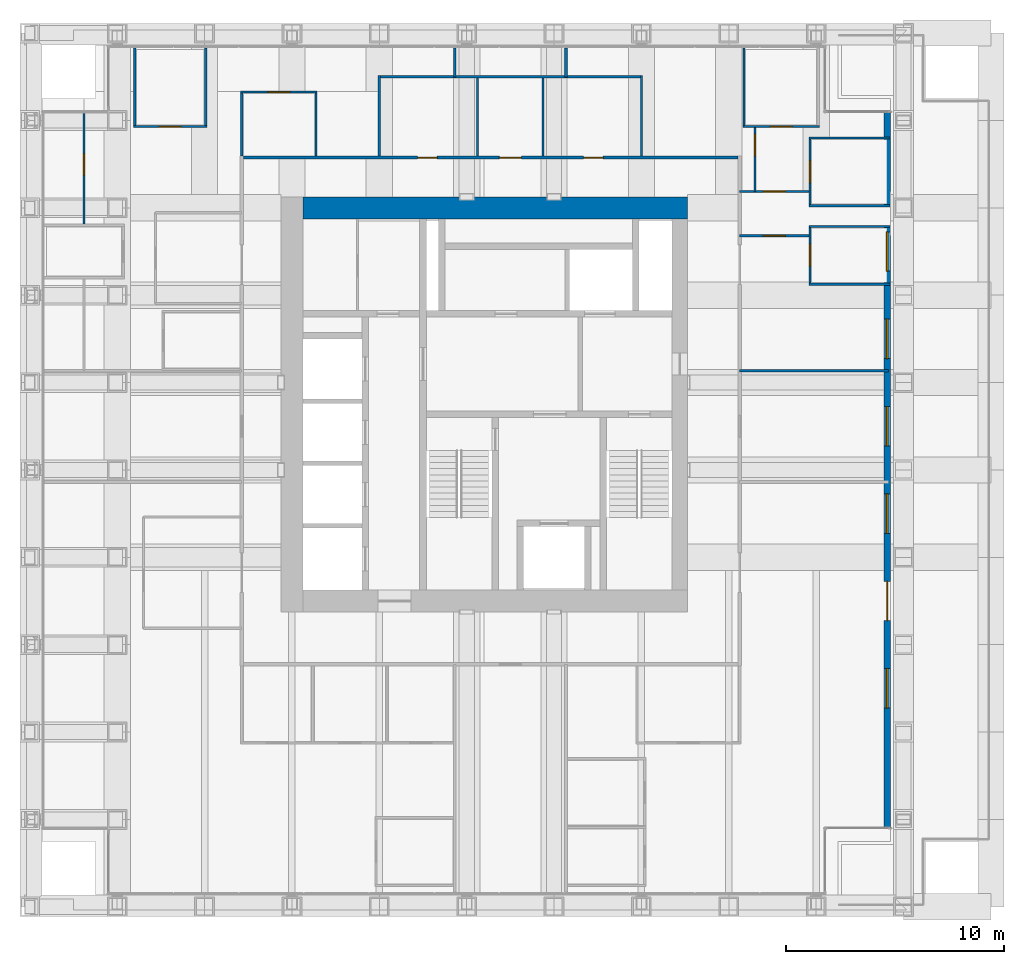
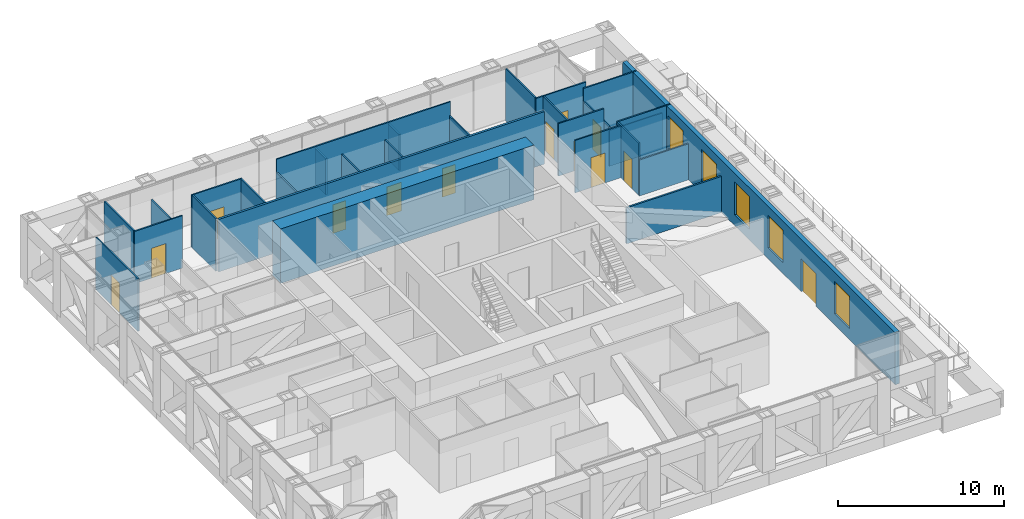
# One storey, part 11 of 14: 29 walls, 13 doors, 5 windows, 18 openings.
"""IFC4 building model written with IfcOpenShell, lengths in metres."""

from ifc_helpers import new_model, si_unit, direction, frame, frame_2d, origin, place, context, subcontext, project, spatial, rectangle, extrude, material, layer, layer_set, type_object, element, fill, save


model = new_model("IFC4")

# Units and contexts
model_context = context("Model", 3, precision=1e-05, world=origin(), true_north=direction((0.0, 1.0)))
body_context = subcontext(model_context, "Body", "Model", "MODEL_VIEW")
ifc_project = project(units=[si_unit("LENGTHUNIT", "METRE"), si_unit("AREAUNIT", "SQUARE_METRE"), si_unit("VOLUMEUNIT", "CUBIC_METRE"), si_unit("PLANEANGLEUNIT", "RADIAN"), si_unit("MASSUNIT", "GRAM", prefix="KILO")], contexts=[model_context])

# Site, building, storey
site_placement = place(None, origin())
site = spatial("IfcSite", under=ifc_project, at=site_placement, CompositionType="ELEMENT")
building_placement = place(site_placement, origin())
building = spatial("IfcBuilding", under=site, at=building_placement, Name="Rimbunsela Tower", CompositionType="ELEMENT")
storey_placement = place(building_placement, frame((0.0, 0.0, 270.199951171875)))
storey = spatial("IfcBuildingStorey", under=building, at=storey_placement, Name="L65", CompositionType="ELEMENT", Elevation=270.199951171875)

# Walls
ifc_material_1 = material(Name="Concrete fc' 80 MPa", Category="concrete")
ifc_layer_1 = layer(ifc_material_1, 1.0)
ifc_layer_set_1 = layer_set([ifc_layer_1], Name="Core wall 1000")
wall_type_1 = type_object("IfcWallType", Name="Core wall 1000", PredefinedType="SHEAR", material=ifc_layer_set_1)
wall_1_placement = place(storey_placement, frame((18.5, 36.0, -0.14990234375), z_axis=(0.0, 0.0, 1.0), x_axis=(1.0, 0.0, 0.0)))
element("IfcWall", 1, at=wall_1_placement, inside=storey, type_object=wall_type_1, Name="Core wall north", PredefinedType="SHEAR", context=body_context, shape_type="SweptSolid", body=[
    extrude(rectangle(XDim=17.60009765625, YDim=1.0, at=frame_2d((8.800048828125, 0.0))), origin(), (0.0, 0.0, 1.0), 4.0),
])
ifc_material_2 = material(Name="Gypsum board on steel studs", Category="steel")
ifc_layer_2 = layer(ifc_material_2, 0.10009765625)
ifc_layer_set_2 = layer_set([ifc_layer_2], Name="Office partition 100")
wall_type_2 = type_object("IfcWallType", Name="Office partition 100", PredefinedType="PARTITIONING", material=ifc_layer_set_2)
wall_2_placement = place(storey_placement, frame((41.669921875, 32.5, 0.0), z_axis=(0.0, 0.0, 1.0), x_axis=(1.0, 0.0, 0.0)))
element("IfcWall", 2, at=wall_2_placement, inside=storey, type_object=wall_type_2, Name="Office partition", PredefinedType="PARTITIONING", context=body_context, shape_type="SweptSolid", body=[
    extrude(rectangle(XDim=3.7001953125, YDim=0.10009765625, at=frame_2d((1.85009765625, 0.0))), origin(), (0.0, 0.0, 1.0), 2.650146484375),
])
wall_3_placement = place(storey_placement, frame((41.669921875, 35.14990234375, 0.0), z_axis=(0.0, 0.0, 1.0), x_axis=(1.0, 0.0, 0.0)))
element("IfcWall", 3, at=wall_3_placement, inside=storey, type_object=wall_type_2, Name="Office partition", PredefinedType="PARTITIONING", context=body_context, shape_type="SweptSolid", body=[
    extrude(rectangle(XDim=3.7001953125, YDim=0.10009765625, at=frame_2d((1.85009765625, 0.0))), origin(), (0.0, 0.0, 1.0), 3.85009765625),
])
wall_4_placement = place(storey_placement, frame((41.669921875, 36.10009765625, 0.0), z_axis=(0.0, 0.0, 1.0), x_axis=(1.0, 0.0, 0.0)))
element("IfcWall", 4, at=wall_4_placement, inside=storey, type_object=wall_type_2, Name="Office partition", PredefinedType="PARTITIONING", context=body_context, shape_type="SweptSolid", body=[
    extrude(rectangle(XDim=3.7001953125, YDim=0.10009765625, at=frame_2d((1.85009765625, 0.0))), origin(), (0.0, 0.0, 1.0), 2.650146484375),
])
wall_5_placement = place(storey_placement, frame((41.669921875, 39.199951171875, 0.0), z_axis=(0.0, 0.0, 1.0), x_axis=(1.0, 0.0, 0.0)))
element("IfcWall", 5, at=wall_5_placement, inside=storey, type_object=wall_type_2, Name="Office partition", PredefinedType="PARTITIONING", context=body_context, shape_type="SweptSolid", body=[
    extrude(rectangle(XDim=3.7001953125, YDim=0.10009765625, at=frame_2d((1.85009765625, 0.0))), origin(), (0.0, 0.0, 1.0), 3.85009765625),
])

# Wall, opening, door
wall_6_placement = place(storey_placement, frame((10.75, 39.719970703125, 0.0), z_axis=(0.0, 0.0, 1.0), x_axis=(1.0, 0.0, 0.0)))
wall_6 = element("IfcWall", 6, at=wall_6_placement, inside=storey, type_object=wall_type_2, Name="Office partition", PredefinedType="PARTITIONING", context=body_context, shape_type="SweptSolid", body=[
    extrude(rectangle(XDim=3.35009765625, YDim=0.10009765625, at=frame_2d((1.675048828125, 0.0))), origin(), (0.0, 0.0, 1.0), 3.85009765625),
])
opening_1_placement = place(wall_6_placement, frame((1.175048828125, 0.0, 0.0)))
opening_1 = element("IfcOpeningElement", 7, at=opening_1_placement, cuts=wall_6, Name="Opening D16", PredefinedType="OPENING", context=body_context, shape_type="SweptSolid", body=[
    extrude(rectangle(XDim=1.0, YDim=2.199951171875, at=frame_2d((0.5, 1.10009765625))), frame((0.0, 0.06005859375, 0.0), z_axis=(0.0, -1.0, 0.0), x_axis=(1.0, 0.0, 0.0)), (0.0, 0.0, 1.0), 0.1201171875),
])
ifc_material_3 = material(Name="Timber door", Category="wood")
door_type_1 = type_object("IfcDoorType", Name="Office door 1000", OperationType="SINGLE_SWING_LEFT", PredefinedType="DOOR", material=ifc_material_3)
door_1_placement = place(opening_1_placement, origin())
door_1 = element("IfcDoor", 8, at=door_1_placement, inside=storey, type_object=door_type_1, Name="Office door", OperationType="SINGLE_SWING_LEFT", OverallHeight=2.199951171875, OverallWidth=1.0, PredefinedType="DOOR", context=body_context, shape_type="SweptSolid", body=[
    extrude(rectangle(XDim=1.0, YDim=2.199951171875, at=frame_2d((0.5, 1.10009765625))), frame((0.0, 0.02490234375, 0.0), z_axis=(0.0, -1.0, 0.0), x_axis=(1.0, 0.0, 0.0)), (0.0, 0.0, 1.0), 0.050048828125),
])
fill(opening_1, door_1)

wall_7_placement = place(storey_placement, frame((38.64990234375, 39.719970703125, 0.0), z_axis=(0.0, 0.0, 1.0), x_axis=(1.0, 0.0, 0.0)))
wall_7 = element("IfcWall", 9, at=wall_7_placement, inside=storey, type_object=wall_type_2, Name="Office partition", PredefinedType="PARTITIONING", context=body_context, shape_type="SweptSolid", body=[
    extrude(rectangle(XDim=3.5, YDim=0.10009765625, at=frame_2d((1.75, 0.0))), origin(), (0.0, 0.0, 1.0), 3.85009765625),
])
opening_2_placement = place(wall_7_placement, frame((1.25, 0.0, 0.0)))
opening_2 = element("IfcOpeningElement", 10, at=opening_2_placement, cuts=wall_7, Name="Opening D16", PredefinedType="OPENING", context=body_context, shape_type="SweptSolid", body=[
    extrude(rectangle(XDim=1.0, YDim=2.199951171875, at=frame_2d((0.5, 1.10009765625))), frame((0.0, 0.06005859375, 0.0), z_axis=(0.0, -1.0, 0.0), x_axis=(1.0, 0.0, 0.0)), (0.0, 0.0, 1.0), 0.1201171875),
])
door_2_placement = place(opening_2_placement, origin())
door_2 = element("IfcDoor", 11, at=door_2_placement, inside=storey, type_object=door_type_1, Name="Office door", OperationType="SINGLE_SWING_LEFT", OverallHeight=2.199951171875, OverallWidth=1.0, PredefinedType="DOOR", context=body_context, shape_type="SweptSolid", body=[
    extrude(rectangle(XDim=1.0, YDim=2.199951171875, at=frame_2d((0.5, 1.10009765625))), frame((0.0, 0.02490234375, 0.0), z_axis=(0.0, -1.0, 0.0), x_axis=(1.0, 0.0, 0.0)), (0.0, 0.0, 1.0), 0.050048828125),
])
fill(opening_2, door_2)

wall_8_placement = place(storey_placement, frame((15.64990234375, 41.300048828125, 0.0), z_axis=(0.0, 0.0, 1.0), x_axis=(1.0, 0.0, 0.0)))
wall_8 = element("IfcWall", 12, at=wall_8_placement, inside=storey, type_object=wall_type_2, Name="Office partition", PredefinedType="PARTITIONING", context=body_context, shape_type="SweptSolid", body=[
    extrude(rectangle(XDim=3.5, YDim=0.10009765625, at=frame_2d((1.75, 0.0))), origin(), (0.0, 0.0, 1.0), 3.85009765625),
])
opening_3_placement = place(wall_8_placement, frame((1.25, 0.0, 0.0)))
opening_3 = element("IfcOpeningElement", 13, at=opening_3_placement, cuts=wall_8, Name="Opening D16", PredefinedType="OPENING", context=body_context, shape_type="SweptSolid", body=[
    extrude(rectangle(XDim=1.0, YDim=2.199951171875, at=frame_2d((0.5, 1.10009765625))), frame((0.0, 0.06005859375, 0.0), z_axis=(0.0, -1.0, 0.0), x_axis=(1.0, 0.0, 0.0)), (0.0, 0.0, 1.0), 0.1201171875),
])
door_3_placement = place(opening_3_placement, origin())
door_3 = element("IfcDoor", 14, at=door_3_placement, inside=storey, type_object=door_type_1, Name="Office door", OperationType="SINGLE_SWING_LEFT", OverallHeight=2.199951171875, OverallWidth=1.0, PredefinedType="DOOR", context=body_context, shape_type="SweptSolid", body=[
    extrude(rectangle(XDim=1.0, YDim=2.199951171875, at=frame_2d((0.5, 1.10009765625))), frame((0.0, 0.02490234375, 0.0), z_axis=(0.0, -1.0, 0.0), x_axis=(1.0, 0.0, 0.0)), (0.0, 0.0, 1.0), 0.050048828125),
])
fill(opening_3, door_3)

# Walls
wall_9_placement = place(storey_placement, frame((10.800048828125, 39.77001953125, 0.0), z_axis=(0.0, 0.0, 1.0), x_axis=(0.0, 1.0, 0.0)))
element("IfcWall", 15, at=wall_9_placement, inside=storey, type_object=wall_type_2, Name="Office partition", PredefinedType="PARTITIONING", context=body_context, shape_type="SweptSolid", body=[
    extrude(rectangle(XDim=3.550048828125, YDim=0.10009765625, at=frame_2d((1.77490234375, 0.0))), origin(), (0.0, 0.0, 1.0), 3.85009765625),
])
wall_10_placement = place(storey_placement, frame((14.050048828125, 39.77001953125, 0.0), z_axis=(0.0, 0.0, 1.0), x_axis=(0.0, 1.0, 0.0)))
element("IfcWall", 16, at=wall_10_placement, inside=storey, type_object=wall_type_2, Name="Office partition", PredefinedType="PARTITIONING", context=body_context, shape_type="SweptSolid", body=[
    extrude(rectangle(XDim=3.550048828125, YDim=0.10009765625, at=frame_2d((1.77490234375, 0.0))), origin(), (0.0, 0.0, 1.0), 2.85009765625),
])
for number, where, z_axis, x_axis, name in (
    (17, (15.699951171875, 38.375, 0.0), (0.0, 0.0, 1.0), (0.0, 1.0, 0.0), "Office partition"),
    (18, (19.10009765625, 38.375, 0.0), (0.0, 0.0, 1.0), (0.0, 1.0, 0.0), "Office partition"),
):
    element("IfcWall", number, at=place(storey_placement, frame(where, z_axis=z_axis, x_axis=x_axis)), inside=storey, type_object=wall_type_2, Name=name, PredefinedType="PARTITIONING", context=body_context, shape_type="SweptSolid", body=[
        extrude(rectangle(XDim=2.875, YDim=0.10009765625, at=frame_2d((1.4375, 0.0))), origin(), (0.0, 0.0, 1.0), 3.85009765625),
    ])
wall_11_placement = place(storey_placement, frame((38.699951171875, 39.77001953125, 0.0), z_axis=(0.0, 0.0, 1.0), x_axis=(0.0, 1.0, 0.0)))
element("IfcWall", 19, at=wall_11_placement, inside=storey, type_object=wall_type_2, Name="Office partition", PredefinedType="PARTITIONING", context=body_context, shape_type="SweptSolid", body=[
    extrude(rectangle(XDim=3.550048828125, YDim=0.10009765625, at=frame_2d((1.77490234375, 0.0))), origin(), (0.0, 0.0, 1.0), 3.85009765625),
])

# Wall, opening, door
wall_12_placement = place(storey_placement, frame((41.719970703125, 32.550048828125, 0.0), z_axis=(0.0, 0.0, 1.0), x_axis=(0.0, 1.0, 0.0)))
wall_12 = element("IfcWall", 20, at=wall_12_placement, inside=storey, type_object=wall_type_2, Name="Office partition", PredefinedType="PARTITIONING", context=body_context, shape_type="SweptSolid", body=[
    extrude(rectangle(XDim=2.550048828125, YDim=0.10009765625, at=frame_2d((1.27490234375, 0.0))), origin(), (0.0, 0.0, 1.0), 3.85009765625),
])
opening_4_placement = place(wall_12_placement, frame((0.77490234375, 0.0, 0.0)))
opening_4 = element("IfcOpeningElement", 21, at=opening_4_placement, cuts=wall_12, Name="Opening D16", PredefinedType="OPENING", context=body_context, shape_type="SweptSolid", body=[
    extrude(rectangle(XDim=1.0, YDim=2.199951171875, at=frame_2d((0.5, 1.10009765625))), frame((0.0, 0.06005859375, 0.0), z_axis=(0.0, -1.0, 0.0), x_axis=(1.0, 0.0, 0.0)), (0.0, 0.0, 1.0), 0.1201171875),
])
door_4_placement = place(opening_4_placement, origin())
door_4 = element("IfcDoor", 22, at=door_4_placement, inside=storey, type_object=door_type_1, Name="Office door", OperationType="SINGLE_SWING_LEFT", OverallHeight=2.199951171875, OverallWidth=1.0, PredefinedType="DOOR", context=body_context, shape_type="SweptSolid", body=[
    extrude(rectangle(XDim=1.0, YDim=2.199951171875, at=frame_2d((0.5, 1.10009765625))), frame((0.0, 0.02490234375, 0.0), z_axis=(0.0, -1.0, 0.0), x_axis=(1.0, 0.0, 0.0)), (0.0, 0.0, 1.0), 0.050048828125),
])
fill(opening_4, door_4)

wall_13_placement = place(storey_placement, frame((41.719970703125, 36.14990234375, 0.0), z_axis=(0.0, 0.0, 1.0), x_axis=(0.0, 1.0, 0.0)))
wall_13 = element("IfcWall", 23, at=wall_13_placement, inside=storey, type_object=wall_type_2, Name="Office partition", PredefinedType="PARTITIONING", context=body_context, shape_type="SweptSolid", body=[
    extrude(rectangle(XDim=3.0, YDim=0.10009765625, at=frame_2d((1.5, 0.0))), origin(), (0.0, 0.0, 1.0), 2.85009765625),
])
opening_5_placement = place(wall_13_placement, frame((1.0, 0.0, 0.0)))
opening_5 = element("IfcOpeningElement", 24, at=opening_5_placement, cuts=wall_13, Name="Opening D16", PredefinedType="OPENING", context=body_context, shape_type="SweptSolid", body=[
    extrude(rectangle(XDim=1.0, YDim=2.199951171875, at=frame_2d((0.5, 1.10009765625))), frame((0.0, 0.06005859375, 0.0), z_axis=(0.0, -1.0, 0.0), x_axis=(1.0, 0.0, 0.0)), (0.0, 0.0, 1.0), 0.1201171875),
])
door_5_placement = place(opening_5_placement, origin())
door_5 = element("IfcDoor", 25, at=door_5_placement, inside=storey, type_object=door_type_1, Name="Office door", OperationType="SINGLE_SWING_LEFT", OverallHeight=2.199951171875, OverallWidth=1.0, PredefinedType="DOOR", context=body_context, shape_type="SweptSolid", body=[
    extrude(rectangle(XDim=1.0, YDim=2.199951171875, at=frame_2d((0.5, 1.10009765625))), frame((0.0, 0.02490234375, 0.0), z_axis=(0.0, -1.0, 0.0), x_axis=(1.0, 0.0, 0.0)), (0.0, 0.0, 1.0), 0.050048828125),
])
fill(opening_5, door_5)

wall_14_placement = place(storey_placement, frame((8.47998046875, 35.25, 0.0), z_axis=(0.0, 0.0, 1.0), x_axis=(0.0, 1.0, 0.0)))
wall_14 = element("IfcWall", 26, at=wall_14_placement, inside=storey, type_object=wall_type_2, Name="Office partition", PredefinedType="PARTITIONING", context=body_context, shape_type="SweptSolid", body=[
    extrude(rectangle(XDim=5.070068359375, YDim=0.10009765625, at=frame_2d((2.53515625, 0.0))), origin(), (0.0, 0.0, 1.0), 3.85009765625),
])
opening_6_placement = place(wall_14_placement, frame((2.235107421875, 0.0, 0.0)))
opening_6 = element("IfcOpeningElement", 27, at=opening_6_placement, cuts=wall_14, Name="Opening D17", PredefinedType="OPENING", context=body_context, shape_type="SweptSolid", body=[
    extrude(rectangle(XDim=1.0, YDim=2.199951171875, at=frame_2d((0.5, 1.10009765625))), frame((0.0, 0.06005859375, 0.0), z_axis=(0.0, -1.0, 0.0), x_axis=(1.0, 0.0, 0.0)), (0.0, 0.0, 1.0), 0.1201171875),
])
ifc_material_4 = material(Name="Glazed aluminium door", Category="aluminium")
door_type_2 = type_object("IfcDoorType", Name="Meeting room door 1000 glazed", OperationType="SINGLE_SWING_RIGHT", PredefinedType="DOOR", material=ifc_material_4)
door_6_placement = place(opening_6_placement, origin())
door_6 = element("IfcDoor", 28, at=door_6_placement, inside=storey, type_object=door_type_2, Name="Open office screen door", OperationType="SINGLE_SWING_RIGHT", OverallHeight=2.199951171875, OverallWidth=1.0, PredefinedType="DOOR", context=body_context, shape_type="SweptSolid", body=[
    extrude(rectangle(XDim=1.0, YDim=2.199951171875, at=frame_2d((0.5, 1.10009765625))), frame((0.0, 0.02490234375, 0.0), z_axis=(0.0, -1.0, 0.0), x_axis=(1.0, 0.0, 0.0)), (0.0, 0.0, 1.0), 0.050048828125),
])
fill(opening_6, door_6)

wall_15_placement = place(storey_placement, frame((41.669921875, 34.72509765625, 0.0), z_axis=(0.0, 0.0, 1.0), x_axis=(-1.0, 0.0, 0.0)))
wall_15 = element("IfcWall", 29, at=wall_15_placement, inside=storey, type_object=wall_type_2, Name="Office partition", PredefinedType="PARTITIONING", context=body_context, shape_type="SweptSolid", body=[
    extrude(rectangle(XDim=3.169921875, YDim=0.10009765625, at=frame_2d((1.5849609375, 0.0))), origin(), (0.0, 0.0, 1.0), 3.85009765625),
])
opening_7_placement = place(wall_15_placement, frame((1.0849609375, 0.0, 0.0)))
opening_7 = element("IfcOpeningElement", 30, at=opening_7_placement, cuts=wall_15, Name="Opening D17", PredefinedType="OPENING", context=body_context, shape_type="SweptSolid", body=[
    extrude(rectangle(XDim=1.0, YDim=2.199951171875, at=frame_2d((0.5, 1.10009765625))), frame((0.0, 0.06005859375, 0.0), z_axis=(0.0, -1.0, 0.0), x_axis=(1.0, 0.0, 0.0)), (0.0, 0.0, 1.0), 0.1201171875),
])
door_7_placement = place(opening_7_placement, origin())
door_7 = element("IfcDoor", 31, at=door_7_placement, inside=storey, type_object=door_type_2, Name="Open office screen door", OperationType="SINGLE_SWING_RIGHT", OverallHeight=2.199951171875, OverallWidth=1.0, PredefinedType="DOOR", context=body_context, shape_type="SweptSolid", body=[
    extrude(rectangle(XDim=1.0, YDim=2.199951171875, at=frame_2d((0.5, 1.10009765625))), frame((0.0, 0.02490234375, 0.0), z_axis=(0.0, -1.0, 0.0), x_axis=(1.0, 0.0, 0.0)), (0.0, 0.0, 1.0), 0.050048828125),
])
fill(opening_7, door_7)

wall_16_placement = place(storey_placement, frame((41.669921875, 36.75, 0.0), z_axis=(0.0, 0.0, 1.0), x_axis=(-1.0, 0.0, 0.0)))
wall_16 = element("IfcWall", 32, at=wall_16_placement, inside=storey, type_object=wall_type_2, Name="Office partition", PredefinedType="PARTITIONING", context=body_context, shape_type="SweptSolid", body=[
    extrude(rectangle(XDim=3.169921875, YDim=0.10009765625, at=frame_2d((1.5849609375, 0.0))), origin(), (0.0, 0.0, 1.0), 3.85009765625),
])
opening_8_placement = place(wall_16_placement, frame((1.0849609375, 0.0, 0.0)))
opening_8 = element("IfcOpeningElement", 33, at=opening_8_placement, cuts=wall_16, Name="Opening D17", PredefinedType="OPENING", context=body_context, shape_type="SweptSolid", body=[
    extrude(rectangle(XDim=1.0, YDim=2.199951171875, at=frame_2d((0.5, 1.10009765625))), frame((0.0, 0.06005859375, 0.0), z_axis=(0.0, -1.0, 0.0), x_axis=(1.0, 0.0, 0.0)), (0.0, 0.0, 1.0), 0.1201171875),
])
door_8_placement = place(opening_8_placement, origin())
door_8 = element("IfcDoor", 34, at=door_8_placement, inside=storey, type_object=door_type_2, Name="Open office screen door", OperationType="SINGLE_SWING_RIGHT", OverallHeight=2.199951171875, OverallWidth=1.0, PredefinedType="DOOR", context=body_context, shape_type="SweptSolid", body=[
    extrude(rectangle(XDim=1.0, YDim=2.199951171875, at=frame_2d((0.5, 1.10009765625))), frame((0.0, 0.02490234375, 0.0), z_axis=(0.0, -1.0, 0.0), x_axis=(1.0, 0.0, 0.0)), (0.0, 0.0, 1.0), 0.050048828125),
])
fill(opening_8, door_8)

wall_17_placement = place(storey_placement, frame((39.199951171875, 39.669921875, 0.0), z_axis=(0.0, 0.0, 1.0), x_axis=(0.0, -1.0, 0.0)))
wall_17 = element("IfcWall", 35, at=wall_17_placement, inside=storey, type_object=wall_type_2, Name="Office partition", PredefinedType="PARTITIONING", context=body_context, shape_type="SweptSolid", body=[
    extrude(rectangle(XDim=2.919921875, YDim=0.10009765625, at=frame_2d((1.4599609375, 0.0))), origin(), (0.0, 0.0, 1.0), 3.85009765625),
])
opening_9_placement = place(wall_17_placement, frame((0.31005859375, 0.0, 0.0)))
opening_9 = element("IfcOpeningElement", 36, at=opening_9_placement, cuts=wall_17, Name="Opening D17", PredefinedType="OPENING", context=body_context, shape_type="SweptSolid", body=[
    extrude(rectangle(XDim=1.0, YDim=2.199951171875, at=frame_2d((0.5, 1.10009765625))), frame((0.0, 0.06005859375, 0.0), z_axis=(0.0, -1.0, 0.0), x_axis=(1.0, 0.0, 0.0)), (0.0, 0.0, 1.0), 0.1201171875),
])
door_9_placement = place(opening_9_placement, origin())
door_9 = element("IfcDoor", 37, at=door_9_placement, inside=storey, type_object=door_type_2, Name="Open office screen door", OperationType="SINGLE_SWING_RIGHT", OverallHeight=2.199951171875, OverallWidth=1.0, PredefinedType="DOOR", context=body_context, shape_type="SweptSolid", body=[
    extrude(rectangle(XDim=1.0, YDim=2.199951171875, at=frame_2d((0.5, 1.10009765625))), frame((0.0, 0.02490234375, 0.0), z_axis=(0.0, -1.0, 0.0), x_axis=(1.0, 0.0, 0.0)), (0.0, 0.0, 1.0), 0.050048828125),
])
fill(opening_9, door_9)

# Wall, openings, doors
ifc_material_5 = material(Name="Fire-rated gypsum board on steel studs, EI 60", Category="steel")
ifc_layer_3 = layer(ifc_material_5, 0.14990234375)
ifc_layer_set_3 = layer_set([ifc_layer_3], Name="Rated corridor wall 150")
wall_type_3 = type_object("IfcWallType", Name="Rated corridor wall 150", PredefinedType="PARTITIONING", material=ifc_layer_set_3)
wall_18_placement = place(storey_placement, frame((15.77490234375, 38.300048828125, 0.0), z_axis=(0.0, 0.0, 1.0), x_axis=(1.0, 0.0, 0.0)))
wall_18 = element("IfcWall", 38, at=wall_18_placement, inside=storey, type_object=wall_type_3, Name="Corridor wall north", PredefinedType="PARTITIONING", context=body_context, shape_type="SweptSolid", body=[
    extrude(rectangle(XDim=22.650146484375, YDim=0.14990234375, at=frame_2d((11.3251953125, 0.0))), origin(), (0.0, 0.0, 1.0), 3.85009765625),
])
opening_10_placement = place(wall_18_placement, frame((7.97509765625, 0.0, 0.0)))
opening_10 = element("IfcOpeningElement", 39, at=opening_10_placement, cuts=wall_18, Name="Opening D04", PredefinedType="OPENING", context=body_context, shape_type="SweptSolid", body=[
    extrude(rectangle(XDim=0.89990234375, YDim=2.10009765625, at=frame_2d((0.449951171875, 1.050048828125))), frame((0.0, 0.0849609375, 0.0), z_axis=(0.0, -1.0, 0.0), x_axis=(1.0, 0.0, 0.0)), (0.0, 0.0, 1.0), 0.169921875),
])
opening_11_placement = place(wall_18_placement, frame((11.72509765625, 0.0, 0.0)))
opening_11 = element("IfcOpeningElement", 40, at=opening_11_placement, cuts=wall_18, Name="Opening D05", PredefinedType="OPENING", context=body_context, shape_type="SweptSolid", body=[
    extrude(rectangle(XDim=1.0, YDim=2.10009765625, at=frame_2d((0.5, 1.050048828125))), frame((0.0, 0.0849609375, 0.0), z_axis=(0.0, -1.0, 0.0), x_axis=(1.0, 0.0, 0.0)), (0.0, 0.0, 1.0), 0.169921875),
])
opening_12_placement = place(wall_18_placement, frame((15.574951171875, 0.0, 0.0)))
opening_12 = element("IfcOpeningElement", 41, at=opening_12_placement, cuts=wall_18, Name="Opening D04", PredefinedType="OPENING", context=body_context, shape_type="SweptSolid", body=[
    extrude(rectangle(XDim=0.89990234375, YDim=2.10009765625, at=frame_2d((0.449951171875, 1.050048828125))), frame((0.0, 0.0849609375, 0.0), z_axis=(0.0, -1.0, 0.0), x_axis=(1.0, 0.0, 0.0)), (0.0, 0.0, 1.0), 0.169921875),
])
ifc_material_6 = material(Name="Timber door", Category="wood")
door_type_3 = type_object("IfcDoorType", Name="Accessible WC door 1000", OperationType="SLIDING_TO_LEFT", PredefinedType="DOOR", material=ifc_material_6)
door_10_placement = place(opening_11_placement, origin())
door_10 = element("IfcDoor", 42, at=door_10_placement, inside=storey, type_object=door_type_3, Name="Accessible WC door", OperationType="SLIDING_TO_LEFT", OverallHeight=2.10009765625, OverallWidth=1.0, PredefinedType="DOOR", context=body_context, shape_type="SweptSolid", body=[
    extrude(rectangle(XDim=1.0, YDim=2.10009765625, at=frame_2d((0.5, 1.050048828125))), frame((0.0, 0.02490234375, 0.0), z_axis=(0.0, -1.0, 0.0), x_axis=(1.0, 0.0, 0.0)), (0.0, 0.0, 1.0), 0.050048828125),
])
fill(opening_11, door_10)
ifc_material_7 = material(Name="Timber door", Category="wood")
door_type_4 = type_object("IfcDoorType", Name="Toilet door 900", OperationType="SINGLE_SWING_LEFT", PredefinedType="DOOR", material=ifc_material_7)
door_11_placement = place(opening_10_placement, origin())
door_11 = element("IfcDoor", 43, at=door_11_placement, inside=storey, type_object=door_type_4, Name="Female WC door", OperationType="SINGLE_SWING_LEFT", OverallHeight=2.10009765625, OverallWidth=0.89990234375, PredefinedType="DOOR", context=body_context, shape_type="SweptSolid", body=[
    extrude(rectangle(XDim=0.89990234375, YDim=2.10009765625, at=frame_2d((0.449951171875, 1.050048828125))), frame((0.0, 0.02490234375, 0.0), z_axis=(0.0, -1.0, 0.0), x_axis=(1.0, 0.0, 0.0)), (0.0, 0.0, 1.0), 0.050048828125),
])
fill(opening_10, door_11)
door_12_placement = place(opening_12_placement, origin())
door_12 = element("IfcDoor", 44, at=door_12_placement, inside=storey, type_object=door_type_4, Name="Male WC door", OperationType="SINGLE_SWING_LEFT", OverallHeight=2.10009765625, OverallWidth=0.89990234375, PredefinedType="DOOR", context=body_context, shape_type="SweptSolid", body=[
    extrude(rectangle(XDim=0.89990234375, YDim=2.10009765625, at=frame_2d((0.449951171875, 1.050048828125))), frame((0.0, 0.02490234375, 0.0), z_axis=(0.0, -1.0, 0.0), x_axis=(1.0, 0.0, 0.0)), (0.0, 0.0, 1.0), 0.050048828125),
])
fill(opening_12, door_12)

# Walls
ifc_material_8 = material(Name="Gypsum board on steel studs", Category="steel")
ifc_layer_4 = layer(ifc_material_8, 0.1201171875)
ifc_layer_set_4 = layer_set([ifc_layer_4], Name="Tenancy partition 120")
wall_type_4 = type_object("IfcWallType", Name="Tenancy partition 120", PredefinedType="PARTITIONING", material=ifc_layer_set_4)
wall_19_placement = place(storey_placement, frame((38.5, 28.550048828125, 0.0), z_axis=(0.0, 0.0, 1.0), x_axis=(1.0, 0.0, 0.0)))
element("IfcWall", 45, at=wall_19_placement, inside=storey, type_object=wall_type_4, Name="Tenancy partition", PredefinedType="PARTITIONING", context=body_context, shape_type="SweptSolid", body=[
    extrude(rectangle(XDim=6.820068359375, YDim=0.1201171875, at=frame_2d((3.41015625, 0.0))), origin(), (0.0, 0.0, 1.0), 2.650146484375),
])
for number, where, z_axis, x_axis, name in (
    (46, (25.449951171875, 42.0, 0.0), (0.0, 0.0, 1.0), (0.0, 1.0, 0.0), "Tenancy partition"),
    (47, (30.550048828125, 42.0, 0.0), (0.0, 0.0, 1.0), (0.0, 1.0, 0.0), "Tenancy partition"),
):
    element("IfcWall", number, at=place(storey_placement, frame(where, z_axis=z_axis, x_axis=x_axis)), inside=storey, type_object=wall_type_4, Name=name, PredefinedType="PARTITIONING", context=body_context, shape_type="SweptSolid", body=[
        extrude(rectangle(XDim=1.320068359375, YDim=0.1201171875, at=frame_2d((0.66015625, 0.0))), origin(), (0.0, 0.0, 1.0), 2.650146484375),
    ])

# Wall, openings, door, windows
ifc_material_9 = material(Name="Precast concrete fc' 35 MPa", Category="concrete")
ifc_layer_5 = layer(ifc_material_9, 0.300048828125)
ifc_layer_set_5 = layer_set([ifc_layer_5], Name="Terrace wall 300")
wall_type_5 = type_object("IfcWallType", Name="Terrace wall 300", PredefinedType="ELEMENTEDWALL", material=ifc_layer_set_5)
wall_20_placement = place(storey_placement, frame((45.25, 7.60009765625, 0.0), z_axis=(0.0, 0.0, 1.0), x_axis=(0.0, 1.0, 0.0)))
wall_20 = element("IfcWall", 48, at=wall_20_placement, inside=storey, type_object=wall_type_5, Name="Terrace wall E L65", PredefinedType="ELEMENTEDWALL", context=body_context, shape_type="SweptSolid", body=[
    extrude(rectangle(XDim=32.7998046875, YDim=0.300048828125, at=frame_2d((16.39990234375, 0.0))), origin(), (0.0, 0.0, 1.0), 3.85009765625),
])
opening_13_placement = place(wall_20_placement, frame((5.5, 0.0, 0.800048828125)))
opening_13 = element("IfcOpeningElement", 49, at=opening_13_placement, cuts=wall_20, Name="Opening W3", PredefinedType="OPENING", context=body_context, shape_type="SweptSolid", body=[
    extrude(rectangle(XDim=1.800048828125, YDim=2.39990234375, at=frame_2d((0.89990234375, 1.199951171875))), frame((0.0, 0.159912109375, 0.0), z_axis=(0.0, -1.0, 0.0), x_axis=(1.0, 0.0, 0.0)), (0.0, 0.0, 1.0), 0.320068359375),
])
opening_14_placement = place(wall_20_placement, frame((9.5, 0.0, 0.0)))
opening_14 = element("IfcOpeningElement", 50, at=opening_14_placement, cuts=wall_20, Name="Opening TD1", PredefinedType="OPENING", context=body_context, shape_type="SweptSolid", body=[
    extrude(rectangle(XDim=1.800048828125, YDim=2.39990234375, at=frame_2d((0.89990234375, 1.199951171875))), frame((0.0, 0.159912109375, 0.0), z_axis=(0.0, -1.0, 0.0), x_axis=(1.0, 0.0, 0.0)), (0.0, 0.0, 1.0), 0.320068359375),
])
opening_15_placement = place(wall_20_placement, frame((13.5, 0.0, 0.800048828125)))
opening_15 = element("IfcOpeningElement", 51, at=opening_15_placement, cuts=wall_20, Name="Opening W3", PredefinedType="OPENING", context=body_context, shape_type="SweptSolid", body=[
    extrude(rectangle(XDim=1.800048828125, YDim=2.39990234375, at=frame_2d((0.89990234375, 1.199951171875))), frame((0.0, 0.159912109375, 0.0), z_axis=(0.0, -1.0, 0.0), x_axis=(1.0, 0.0, 0.0)), (0.0, 0.0, 1.0), 0.320068359375),
])
opening_16_placement = place(wall_20_placement, frame((17.5, 0.0, 0.800048828125)))
opening_16 = element("IfcOpeningElement", 52, at=opening_16_placement, cuts=wall_20, Name="Opening W3", PredefinedType="OPENING", context=body_context, shape_type="SweptSolid", body=[
    extrude(rectangle(XDim=1.800048828125, YDim=2.39990234375, at=frame_2d((0.89990234375, 1.199951171875))), frame((0.0, 0.159912109375, 0.0), z_axis=(0.0, -1.0, 0.0), x_axis=(1.0, 0.0, 0.0)), (0.0, 0.0, 1.0), 0.320068359375),
])
opening_17_placement = place(wall_20_placement, frame((21.5, 0.0, 0.800048828125)))
opening_17 = element("IfcOpeningElement", 53, at=opening_17_placement, cuts=wall_20, Name="Opening W3", PredefinedType="OPENING", context=body_context, shape_type="SweptSolid", body=[
    extrude(rectangle(XDim=1.800048828125, YDim=2.39990234375, at=frame_2d((0.89990234375, 1.199951171875))), frame((0.0, 0.159912109375, 0.0), z_axis=(0.0, -1.0, 0.0), x_axis=(1.0, 0.0, 0.0)), (0.0, 0.0, 1.0), 0.320068359375),
])
opening_18_placement = place(wall_20_placement, frame((25.5, 0.0, 0.800048828125)))
opening_18 = element("IfcOpeningElement", 54, at=opening_18_placement, cuts=wall_20, Name="Opening W3", PredefinedType="OPENING", context=body_context, shape_type="SweptSolid", body=[
    extrude(rectangle(XDim=1.800048828125, YDim=2.39990234375, at=frame_2d((0.89990234375, 1.199951171875))), frame((0.0, 0.159912109375, 0.0), z_axis=(0.0, -1.0, 0.0), x_axis=(1.0, 0.0, 0.0)), (0.0, 0.0, 1.0), 0.320068359375),
])
ifc_material_10 = material(Name="Glazed aluminium door", Category="aluminium")
door_type_5 = type_object("IfcDoorType", Name="Terrace door 1800", OperationType="DOUBLE_DOOR_SLIDING", PredefinedType="DOOR", material=ifc_material_10)
door_13_placement = place(opening_14_placement, origin())
door_13 = element("IfcDoor", 55, at=door_13_placement, inside=storey, type_object=door_type_5, Name="Terrace door", OperationType="DOUBLE_DOOR_SLIDING", OverallHeight=2.39990234375, OverallWidth=1.800048828125, PredefinedType="DOOR", context=body_context, shape_type="SweptSolid", body=[
    extrude(rectangle(XDim=1.800048828125, YDim=2.39990234375, at=frame_2d((0.89990234375, 1.199951171875))), frame((0.0, 0.02490234375, 0.0), z_axis=(0.0, -1.0, 0.0), x_axis=(1.0, 0.0, 0.0)), (0.0, 0.0, 1.0), 0.050048828125),
])
fill(opening_14, door_13)
ifc_material_11 = material(Name="Clear glass in aluminium frame", Category="aluminium")
window_type = type_object("IfcWindowType", Name="Window W3 1800x2400", PartitioningType="SINGLE_PANEL", PredefinedType="WINDOW", material=ifc_material_11)
window_1_placement = place(opening_13_placement, origin())
window_1 = element("IfcWindow", 56, at=window_1_placement, inside=storey, type_object=window_type, Name="Window L65", OverallHeight=2.39990234375, OverallWidth=1.800048828125, PartitioningType="SINGLE_PANEL", PredefinedType="WINDOW", context=body_context, shape_type="SweptSolid", body=[
    extrude(rectangle(XDim=1.800048828125, YDim=2.39990234375, at=frame_2d((0.89990234375, 1.199951171875))), frame((0.0, 0.030029296875, 0.0), z_axis=(0.0, -1.0, 0.0), x_axis=(1.0, 0.0, 0.0)), (0.0, 0.0, 1.0), 0.06005859375),
])
fill(opening_13, window_1)
window_2_placement = place(opening_15_placement, origin())
window_2 = element("IfcWindow", 57, at=window_2_placement, inside=storey, type_object=window_type, Name="Window L65", OverallHeight=2.39990234375, OverallWidth=1.800048828125, PartitioningType="SINGLE_PANEL", PredefinedType="WINDOW", context=body_context, shape_type="SweptSolid", body=[
    extrude(rectangle(XDim=1.800048828125, YDim=2.39990234375, at=frame_2d((0.89990234375, 1.199951171875))), frame((0.0, 0.030029296875, 0.0), z_axis=(0.0, -1.0, 0.0), x_axis=(1.0, 0.0, 0.0)), (0.0, 0.0, 1.0), 0.06005859375),
])
fill(opening_15, window_2)
window_3_placement = place(opening_16_placement, origin())
window_3 = element("IfcWindow", 58, at=window_3_placement, inside=storey, type_object=window_type, Name="Window L65", OverallHeight=2.39990234375, OverallWidth=1.800048828125, PartitioningType="SINGLE_PANEL", PredefinedType="WINDOW", context=body_context, shape_type="SweptSolid", body=[
    extrude(rectangle(XDim=1.800048828125, YDim=2.39990234375, at=frame_2d((0.89990234375, 1.199951171875))), frame((0.0, 0.030029296875, 0.0), z_axis=(0.0, -1.0, 0.0), x_axis=(1.0, 0.0, 0.0)), (0.0, 0.0, 1.0), 0.06005859375),
])
fill(opening_16, window_3)
window_4_placement = place(opening_17_placement, origin())
window_4 = element("IfcWindow", 59, at=window_4_placement, inside=storey, type_object=window_type, Name="Window L65", OverallHeight=2.39990234375, OverallWidth=1.800048828125, PartitioningType="SINGLE_PANEL", PredefinedType="WINDOW", context=body_context, shape_type="SweptSolid", body=[
    extrude(rectangle(XDim=1.800048828125, YDim=2.39990234375, at=frame_2d((0.89990234375, 1.199951171875))), frame((0.0, 0.030029296875, 0.0), z_axis=(0.0, -1.0, 0.0), x_axis=(1.0, 0.0, 0.0)), (0.0, 0.0, 1.0), 0.06005859375),
])
fill(opening_17, window_4)
window_5_placement = place(opening_18_placement, origin())
window_5 = element("IfcWindow", 60, at=window_5_placement, inside=storey, type_object=window_type, Name="Window L65", OverallHeight=2.39990234375, OverallWidth=1.800048828125, PartitioningType="SINGLE_PANEL", PredefinedType="WINDOW", context=body_context, shape_type="SweptSolid", body=[
    extrude(rectangle(XDim=1.800048828125, YDim=2.39990234375, at=frame_2d((0.89990234375, 1.199951171875))), frame((0.0, 0.030029296875, 0.0), z_axis=(0.0, -1.0, 0.0), x_axis=(1.0, 0.0, 0.0)), (0.0, 0.0, 1.0), 0.06005859375),
])
fill(opening_18, window_5)

# Walls
ifc_material_12 = material(Name="Concrete blockwork", Category="masonry")
ifc_layer_6 = layer(ifc_material_12, 0.10009765625)
ifc_layer_set_6 = layer_set([ifc_layer_6], Name="Toilet partition 100")
wall_type_6 = type_object("IfcWallType", Name="Toilet partition 100", PredefinedType="PARTITIONING", material=ifc_layer_set_6)
for number, where, z_axis, x_axis, name in (
    (61, (22.0, 38.375, 0.0), (0.0, 0.0, 1.0), (0.0, 1.0, 0.0), "Toilet block wall west"),
    (62, (34.0, 38.375, 0.0), (0.0, 0.0, 1.0), (0.0, 1.0, 0.0), "Toilet block wall east"),
):
    element("IfcWall", number, at=place(storey_placement, frame(where, z_axis=z_axis, x_axis=x_axis)), inside=storey, type_object=wall_type_6, Name=name, PredefinedType="PARTITIONING", context=body_context, shape_type="SweptSolid", body=[
        extrude(rectangle(XDim=3.675048828125, YDim=0.10009765625, at=frame_2d((1.83740234375, 0.0))), origin(), (0.0, 0.0, 1.0), 2.85009765625),
    ])
wall_21_placement = place(storey_placement, frame((21.949951171875, 42.0, 0.0), z_axis=(0.0, 0.0, 1.0), x_axis=(1.0, 0.0, 0.0)))
element("IfcWall", 63, at=wall_21_placement, inside=storey, type_object=wall_type_6, Name="Toilet block wall north", PredefinedType="PARTITIONING", context=body_context, shape_type="SweptSolid", body=[
    extrude(rectangle(XDim=12.10009765625, YDim=0.10009765625, at=frame_2d((6.050048828125, 0.0))), origin(), (0.0, 0.0, 1.0), 3.85009765625),
])
for number, where, z_axis, x_axis, name in (
    (64, (26.5, 38.375, 0.0), (0.0, 0.0, 1.0), (0.0, 1.0, 0.0), "Toilet partition"),
    (65, (29.5, 38.375, 0.0), (0.0, 0.0, 1.0), (0.0, 1.0, 0.0), "Toilet partition"),
):
    element("IfcWall", number, at=place(storey_placement, frame(where, z_axis=z_axis, x_axis=x_axis)), inside=storey, type_object=wall_type_6, Name=name, PredefinedType="PARTITIONING", context=body_context, shape_type="SweptSolid", body=[
        extrude(rectangle(XDim=3.574951171875, YDim=0.10009765625, at=frame_2d((1.78759765625, 0.0))), origin(), (0.0, 0.0, 1.0), 2.650146484375),
    ])

save(model, "model.ifc")
